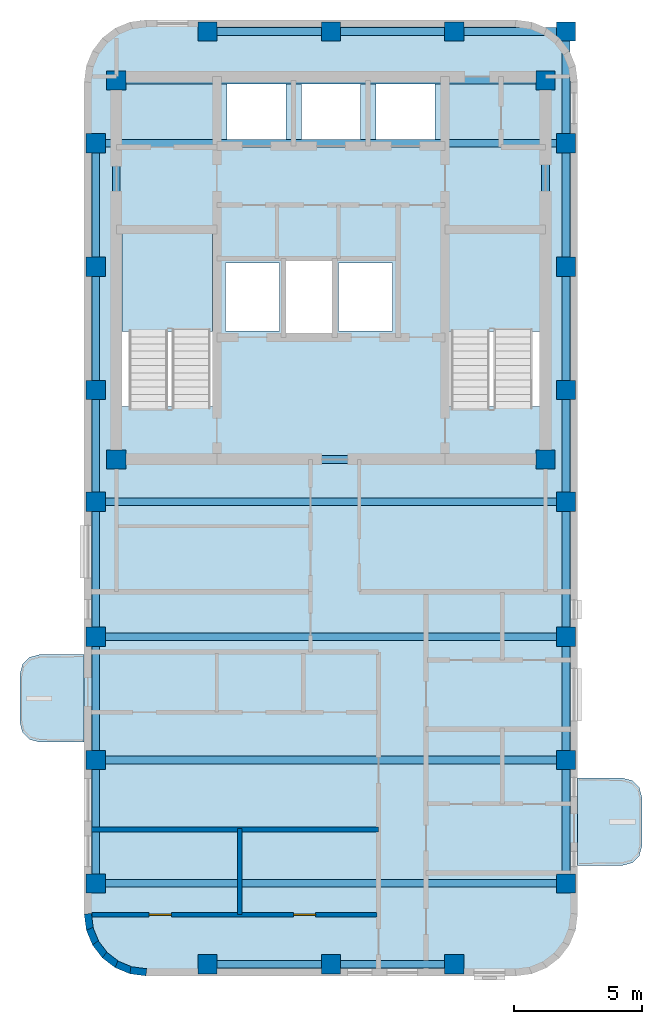
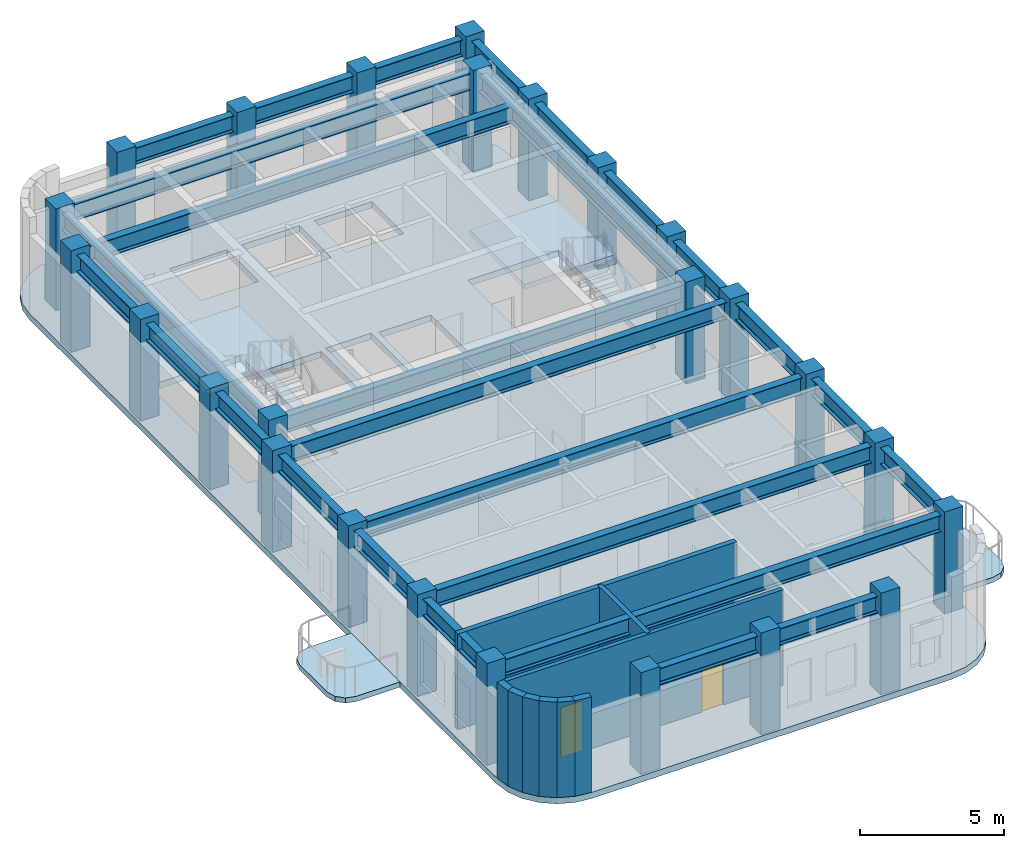
# One storey, part 1 of 6: 27 beams, 25 columns, 9 walls, 5 slabs, 2 doors, 2 openings, 2 elements without a shape of their own.
"""IFC4 building model written with IfcOpenShell, lengths in metres."""

import ifcopenshell
import ifcopenshell.guid

model = None  # the IFC model being written
_history = None  # IfcOwnerHistory: only IFC2X3 demands one
_inside = {}  # id of a spatial element -> (the spatial element, [elements in it])
_under = {}  # id of a project, library or spatial element -> (it, [spatial elements below it])
_declared = {}  # id of a project -> (the project, [libraries it declares])
_typed = {}  # id of a type object -> (the type object, [elements of that type])
_made_of = {}  # id of a material, layer set ... -> (it, [elements and type objects made of it])


def new_model(schema):
    """Start an empty IFC model of exactly this schema.

    Asked for "IFC4X3", IfcOpenShell would pick the latest addendum, in which some entities
    have other attributes; the version numbers below select the first issue.
    IFC2X3 requires an IfcOwnerHistory on every rooted entity: one is made here for all.
    """
    global model, _history
    if schema == "IFC4X3":
        model = ifcopenshell.file(schema_version=(4, 3, 0, 0))
    else:
        model = ifcopenshell.file(schema=schema)
    _inside.clear()
    _under.clear()
    _declared.clear()
    _typed.clear()
    _made_of.clear()
    _history = None
    if model.schema == "IFC2X3":
        org = make("IfcOrganization", Name="unknown")
        user = make(
            "IfcPersonAndOrganization",
            ThePerson=make("IfcPerson", FamilyName="unknown"),
            TheOrganization=org,
        )
        app = make(
            "IfcApplication",
            ApplicationDeveloper=org,
            Version="unknown",
            ApplicationFullName="unknown",
            ApplicationIdentifier="unknown",
        )
        _history = make(
            "IfcOwnerHistory",
            OwningUser=user,
            OwningApplication=app,
            ChangeAction="ADDED",
            CreationDate=0,
        )
    return model


def make(cls, **values):
    """One entity of the class cls with the attributes given. An attribute that is None is left unset."""
    return model.create_entity(
        cls, **{name: value for name, value in values.items() if value is not None}
    )


def rooted(cls, **values):
    """An entity with a GlobalId (a new one), such as an element, a storey or a relation."""
    return make(cls, GlobalId=ifcopenshell.guid.new(), OwnerHistory=_history, **values)


def si_unit(unit_type, name, prefix=None):
    """IfcSIUnit, for example si_unit("LENGTHUNIT", "METRE", prefix="MILLI")."""
    return make("IfcSIUnit", UnitType=unit_type, Prefix=prefix, Name=name)


def assignment(units):
    """IfcUnitAssignment: the units of a project."""
    return None if units is None else make("IfcUnitAssignment", Units=units)


def point(xyz):
    """IfcCartesianPoint."""
    return None if xyz is None else make("IfcCartesianPoint", Coordinates=xyz)


def direction(xyz):
    """IfcDirection."""
    return None if xyz is None else make("IfcDirection", DirectionRatios=xyz)


def frame(location, z_axis=None, x_axis=None):
    """IfcAxis2Placement3D, a coordinate frame: its origin and axes. An axis left out is left unset."""
    return make(
        "IfcAxis2Placement3D",
        Location=point(location),
        Axis=direction(z_axis),
        RefDirection=direction(x_axis),
    )


def frame_2d(location, x_axis=None):
    """IfcAxis2Placement2D, a coordinate frame in the plane: its origin and x axis."""
    return make(
        "IfcAxis2Placement2D", Location=point(location), RefDirection=direction(x_axis)
    )


def origin():
    """The frame at (0, 0, 0) with its axes left unset."""
    return frame((0.0, 0.0, 0.0))


def origin_2d():
    """The frame at (0, 0) in the plane with its x axis left unset."""
    return frame_2d((0.0, 0.0))


def place(relative_to, where):
    """IfcLocalPlacement: puts the frame where relative to a parent placement (None: the world)."""
    return make(
        "IfcLocalPlacement", PlacementRelTo=relative_to, RelativePlacement=where
    )


def context(
    kind, dimensions, precision=None, world=None, true_north=None, identifier=None
):
    """IfcGeometricRepresentationContext, for example the 3D "Model" context."""
    return make(
        "IfcGeometricRepresentationContext",
        ContextIdentifier=identifier,
        ContextType=kind,
        CoordinateSpaceDimension=dimensions,
        Precision=precision,
        WorldCoordinateSystem=world,
        TrueNorth=true_north,
    )


def subcontext(parent, identifier, kind, view, scale=None):
    """IfcGeometricRepresentationSubContext, for example "Body" below "Model"."""
    return make(
        "IfcGeometricRepresentationSubContext",
        ContextIdentifier=identifier,
        ContextType=kind,
        ParentContext=parent,
        TargetScale=scale,
        TargetView=view,
    )


def project(units=None, contexts=None):
    """IfcProject with its units and contexts."""
    return rooted(
        "IfcProject",
        Name="project",
        RepresentationContexts=contexts,
        UnitsInContext=assignment(units),
    )


def spatial(cls, under=None, at=None, **own):
    """A site, building, storey or space (cls), placed at a placement, below another one or the project."""
    s = rooted(cls, ObjectPlacement=at, **own)
    if under is not None:
        _under.setdefault(under.id(), (under, []))[1].append(s)
    return s


def polyline(points):
    """IfcPolyline through the points."""
    return make("IfcPolyline", Points=[point(p) for p in points])


def profile(cls, at=None, kind="AREA", **sizes):
    """A parametric profile (cls). Its sizes go by their IFC names, for example OverallWidth=200.0."""
    return make(cls, ProfileType=kind, Position=at, **sizes)


def rectangle(**sizes):
    """IfcRectangleProfileDef."""
    return profile("IfcRectangleProfileDef", **sizes)


def i_section(**sizes):
    """IfcIShapeProfileDef."""
    return profile("IfcIShapeProfileDef", **sizes)


def outline(outer, holes=None, kind="AREA"):
    """IfcArbitraryClosedProfileDef: a profile drawn as a closed curve; with holes, ...WithVoids."""
    if holes is None:
        return make("IfcArbitraryClosedProfileDef", ProfileType=kind, OuterCurve=outer)
    return make(
        "IfcArbitraryProfileDefWithVoids",
        ProfileType=kind,
        OuterCurve=outer,
        InnerCurves=holes,
    )


def extrude(swept, where, along, depth):
    """IfcExtrudedAreaSolid: the profile swept, set in the frame where, extruded along a direction by depth."""
    return make(
        "IfcExtrudedAreaSolid",
        SweptArea=swept,
        Position=where,
        ExtrudedDirection=direction(along),
        Depth=depth,
    )


def shape(context_of_items, identifier, shape_type, items):
    """IfcShapeRepresentation: the items that make up one representation, for example the "Body"."""
    return make(
        "IfcShapeRepresentation",
        ContextOfItems=context_of_items,
        RepresentationIdentifier=identifier,
        RepresentationType=shape_type,
        Items=items,
    )


def material(Name=None, Category=None):
    """IfcMaterial."""
    return make("IfcMaterial", Name=Name, Category=Category)


def layer(
    of_material, thickness, ventilated=None, Name=None, Category=None, Priority=None
):
    """IfcMaterialLayer: one layer of a wall or slab, of a material (None: an air gap)."""
    return make(
        "IfcMaterialLayer",
        Material=of_material,
        LayerThickness=thickness,
        IsVentilated=ventilated,
        Name=Name,
        Category=Category,
        Priority=Priority,
    )


def layer_set(layers, Name=None):
    """IfcMaterialLayerSet."""
    return make("IfcMaterialLayerSet", MaterialLayers=layers, LayerSetName=Name)


def material_profile(
    of_material, cross_section, Name=None, Category=None, Priority=None
):
    """IfcMaterialProfile: a cross section and its material."""
    return make(
        "IfcMaterialProfile",
        Name=Name,
        Material=of_material,
        Profile=cross_section,
        Priority=Priority,
        Category=Category,
    )


def profile_set(profiles, Name=None, composite=None):
    """IfcMaterialProfileSet."""
    return make(
        "IfcMaterialProfileSet",
        Name=Name,
        MaterialProfiles=profiles,
        CompositeProfile=composite,
    )


def made_of(thing, what):
    """Note that an element or type object is made of a material, layer set ...; save() writes the relation."""
    if what is not None:
        _made_of.setdefault(what.id(), (what, []))[1].append(thing)
    return thing


def type_object(cls, material=None, **own):
    """A type object (cls), such as IfcWallType, which elements share."""
    return made_of(rooted(cls, **own), material)


def element(
    cls,
    number,
    at=None,
    inside=None,
    cuts=None,
    type_object=None,
    material=None,
    context=None,
    identifier="Body",
    shape_type=None,
    held_by="IfcProductDefinitionShape",
    body=None,
    shapes=None,
    **own,
):
    """One element of the class cls, such as IfcWall. Its Tag is "e" and its number.

    at: its placement. inside: the storey or other place that contains it. cuts: it is an
    opening in that element (IfcRelVoidsElement). A single representation is given by context,
    identifier, shape_type and body (its items); several are given by shapes. held_by: the class
    of the entity that holds the representations. save() writes the other relations.
    """
    e = rooted(cls, Tag="e%d" % number, ObjectPlacement=at, **own)
    if body is not None:
        shapes = [shape(context, identifier, shape_type, body)]
    if shapes is not None:
        e.Representation = make(held_by, Representations=shapes)
    if inside is not None:
        _inside.setdefault(inside.id(), (inside, []))[1].append(e)
    if cuts is not None:
        rooted(
            "IfcRelVoidsElement", RelatingBuildingElement=cuts, RelatedOpeningElement=e
        )
    if type_object is not None:
        _typed.setdefault(type_object.id(), (type_object, []))[1].append(e)
    return made_of(e, material)


def fill(opening, filler):
    """IfcRelFillsElement: the door or window that sits in an opening."""
    return rooted(
        "IfcRelFillsElement",
        RelatingOpeningElement=opening,
        RelatedBuildingElement=filler,
    )


def aggregate(whole, parts):
    """IfcRelAggregates: a whole, such as a stair, and the parts it consists of."""
    return rooted("IfcRelAggregates", RelatingObject=whole, RelatedObjects=parts)


def save(model, path):
    """Write the relations noted so far, then the file.

    IfcRelAggregates (storeys below a building ...), IfcRelContainedInSpatialStructure (elements
    in a storey), IfcRelDefinesByType, IfcRelAssociatesMaterial and IfcRelDeclares: one each for
    every whole, place, type object, material and project.
    """
    for whole, parts in _under.values():
        aggregate(whole, parts)
    for where, things in _inside.values():
        rooted(
            "IfcRelContainedInSpatialStructure",
            RelatedElements=things,
            RelatingStructure=where,
        )
    for kind, things in _typed.values():
        rooted("IfcRelDefinesByType", RelatedObjects=things, RelatingType=kind)
    for what, things in _made_of.values():
        rooted("IfcRelAssociatesMaterial", RelatedObjects=things, RelatingMaterial=what)
    for by, libraries in _declared.values():
        rooted("IfcRelDeclares", RelatingContext=by, RelatedDefinitions=libraries)
    model.write(path)


model = new_model("IFC4")

# Units and contexts
model_context = context("Model", 3, precision=1e-05, world=origin(), true_north=direction((0.0, 1.0)))
body_context = subcontext(model_context, "Body", "Model", "MODEL_VIEW")
ifc_project = project(units=[si_unit("LENGTHUNIT", "METRE"), si_unit("AREAUNIT", "SQUARE_METRE"), si_unit("VOLUMEUNIT", "CUBIC_METRE"), si_unit("PLANEANGLEUNIT", "RADIAN"), si_unit("MASSUNIT", "GRAM", prefix="KILO")], contexts=[model_context])

# Site, building, storey
site_placement = place(None, origin())
site = spatial("IfcSite", under=ifc_project, at=site_placement, CompositionType="ELEMENT")
building_placement = place(site_placement, origin())
building = spatial("IfcBuilding", under=site, at=building_placement, Name="Orvandelia Arch Residences", CompositionType="ELEMENT")
storey_placement = place(building_placement, frame((0.0, 0.0, 274.199951171875)))
storey = spatial("IfcBuildingStorey", under=building, at=storey_placement, Name="L71", CompositionType="ELEMENT", Elevation=274.199951171875)

# Columns
ifc_material_1 = material(Name="Concrete C50/60", Category="concrete")
ifc_material_profile_1 = material_profile(ifc_material_1, rectangle(XDim=0.75, YDim=0.75, at=origin_2d()), Name="Concrete C50/60", Category="concrete")
ifc_profile_set_1 = profile_set([ifc_material_profile_1], Name="Concrete C50/60")
column_type = type_object("IfcColumnType", Name="COL-TWR-750", PredefinedType="COLUMN", material=ifc_profile_set_1)
for number, where, z_axis, x_axis, name in (
    (1, (5.25, 14.39990234375, 0.0), (0.0, 0.0, 1.0), (1.0, 0.0, 0.0), "Structural Column L71-W-W-144"),
    (2, (5.25, 19.199951171875, 0.0), (0.0, 0.0, 1.0), (1.0, 0.0, 0.0), "Structural Column L71-W-W-192"),
    (3, (5.25, 24.0, 0.0), (0.0, 0.0, 1.0), (1.0, 0.0, 0.0), "Structural Column L71-W-W-240"),
    (4, (5.25, 29.25, 0.0), (0.0, 0.0, 1.0), (1.0, 0.0, 0.0), "Structural Column L71-W-W-292"),
    (5, (5.25, 33.60009765625, 0.0), (0.0, 0.0, 1.0), (1.0, 0.0, 0.0), "Structural Column L71-W-W-336"),
    (6, (5.25, 38.39990234375, 0.0), (0.0, 0.0, 1.0), (1.0, 0.0, 0.0), "Structural Column L71-W-W-384"),
    (7, (5.25, 43.199951171875, 0.0), (0.0, 0.0, 1.0), (1.0, 0.0, 0.0), "Structural Column L71-W-W-432"),
    (8, (6.050048828125, 30.89990234375, 0.0), (0.0, 0.0, 1.0), (1.0, 0.0, 0.0), "Structural Column L71-CR-SW"),
    (9, (6.050048828125, 45.64990234375, 0.0), (0.0, 0.0, 1.0), (1.0, 0.0, 0.0), "Structural Column L71-CR-NW"),
    (10, (9.60009765625, 11.25, 0.0), (0.0, 0.0, 1.0), (1.0, 0.0, 0.0), "Structural Column L71-W-S-96"),
    (11, (9.60009765625, 47.550048828125, 0.0), (0.0, 0.0, 1.0), (1.0, 0.0, 0.0), "Structural Column L71-W-N-96"),
    (12, (14.39990234375, 11.25, 0.0), (0.0, 0.0, 1.0), (1.0, 0.0, 0.0), "Structural Column L71-W-S-144"),
    (13, (14.39990234375, 47.550048828125, 0.0), (0.0, 0.0, 1.0), (1.0, 0.0, 0.0), "Structural Column L71-W-N-144"),
    (14, (19.199951171875, 11.25, 0.0), (0.0, 0.0, 1.0), (1.0, 0.0, 0.0), "Structural Column L71-W-S-192"),
    (15, (19.199951171875, 47.550048828125, 0.0), (0.0, 0.0, 1.0), (1.0, 0.0, 0.0), "Structural Column L71-W-N-192"),
    (16, (22.75, 30.89990234375, 0.0), (0.0, 0.0, 1.0), (1.0, 0.0, 0.0), "Structural Column L71-CR-SE"),
    (17, (22.75, 45.64990234375, 0.0), (0.0, 0.0, 1.0), (1.0, 0.0, 0.0), "Structural Column L71-CR-NE"),
    (18, (23.550048828125, 14.39990234375, 0.0), (0.0, 0.0, 1.0), (1.0, 0.0, 0.0), "Structural Column L71-W-E-144"),
    (19, (23.550048828125, 19.199951171875, 0.0), (0.0, 0.0, 1.0), (1.0, 0.0, 0.0), "Structural Column L71-W-E-192"),
    (20, (23.550048828125, 24.0, 0.0), (0.0, 0.0, 1.0), (1.0, 0.0, 0.0), "Structural Column L71-W-E-240"),
    (21, (23.550048828125, 29.25, 0.0), (0.0, 0.0, 1.0), (1.0, 0.0, 0.0), "Structural Column L71-W-E-292"),
    (22, (23.550048828125, 33.60009765625, 0.0), (0.0, 0.0, 1.0), (1.0, 0.0, 0.0), "Structural Column L71-W-E-336"),
    (23, (23.550048828125, 38.39990234375, 0.0), (0.0, 0.0, 1.0), (1.0, 0.0, 0.0), "Structural Column L71-W-E-384"),
    (24, (23.550048828125, 43.199951171875, 0.0), (0.0, 0.0, 1.0), (1.0, 0.0, 0.0), "Structural Column L71-W-E-432"),
    (25, (23.550048828125, 47.550048828125, 0.0), (0.0, 0.0, 1.0), (1.0, 0.0, 0.0), "Structural Column L71-W-N-235"),
):
    element("IfcColumn", number, at=place(storey_placement, frame(where, z_axis=z_axis, x_axis=x_axis)), inside=storey, type_object=column_type, Name=name, PredefinedType="COLUMN", context=body_context, shape_type="SweptSolid", body=[
        extrude(rectangle(XDim=0.75, YDim=0.75, at=origin_2d()), origin(), (0.0, 0.0, 1.0), 4.300048828125),
    ])

# Beams
ifc_material_2 = material(Name="Structural Steel SM355 (355 MPa)", Category="steel")
ifc_material_profile_2 = material_profile(ifc_material_2, i_section(OverallWidth=0.300048828125, OverallDepth=0.699951171875, WebThickness=0.012939453125, FlangeThickness=0.02392578125, FilletRadius=0.02392578125, at=origin_2d()), Name="Structural Steel SM355 (355 MPa)", Category="steel")
ifc_profile_set_2 = profile_set([ifc_material_profile_2], Name="Structural Steel SM355 (355 MPa)")
beam_type = type_object("IfcBeamType", Name="BM-GRD-H700", PredefinedType="BEAM", material=ifc_profile_set_2)
for number, where, z_axis, x_axis, name in (
    (26, (5.25, 14.39990234375, 3.68994140625), (0.0, 1.0, 0.0), (-1.0, 0.0, 0.0), "Structural Frame Beam L71-NS-001"),
    (27, (5.25, 19.199951171875, 3.68994140625), (0.0, 1.0, 0.0), (-1.0, 0.0, 0.0), "Structural Frame Beam L71-NS-002"),
):
    element("IfcBeam", number, at=place(storey_placement, frame(where, z_axis=z_axis, x_axis=x_axis)), inside=storey, type_object=beam_type, Name=name, PredefinedType="BEAM", context=body_context, shape_type="SweptSolid", body=[
        extrude(i_section(OverallWidth=0.300048828125, OverallDepth=0.699951171875, WebThickness=0.012939453125, FlangeThickness=0.02392578125, FilletRadius=0.02392578125, at=origin_2d()), origin(), (0.0, 0.0, 1.0), 4.800048828125),
    ])
beam_1_placement = place(storey_placement, frame((5.25, 24.0, 3.68994140625), z_axis=(0.0, 1.0, 0.0), x_axis=(-1.0, 0.0, 0.0)))
element("IfcBeam", 28, at=beam_1_placement, inside=storey, type_object=beam_type, Name="Structural Frame Beam L71-NS-003", PredefinedType="BEAM", context=body_context, shape_type="SweptSolid", body=[
    extrude(i_section(OverallWidth=0.300048828125, OverallDepth=0.699951171875, WebThickness=0.012939453125, FlangeThickness=0.02392578125, FilletRadius=0.02392578125, at=origin_2d()), origin(), (0.0, 0.0, 1.0), 5.25),
])
beam_2_placement = place(storey_placement, frame((5.25, 29.25, 3.68994140625), z_axis=(0.0, 1.0, 0.0), x_axis=(-1.0, 0.0, 0.0)))
element("IfcBeam", 29, at=beam_2_placement, inside=storey, type_object=beam_type, Name="Structural Frame Beam L71-NS-004", PredefinedType="BEAM", context=body_context, shape_type="SweptSolid", body=[
    extrude(i_section(OverallWidth=0.300048828125, OverallDepth=0.699951171875, WebThickness=0.012939453125, FlangeThickness=0.02392578125, FilletRadius=0.02392578125, at=origin_2d()), origin(), (0.0, 0.0, 1.0), 4.35009765625),
])
beam_3_placement = place(storey_placement, frame((5.25, 33.60009765625, 3.68994140625), z_axis=(0.0, 1.0, 0.0), x_axis=(-1.0, 0.0, 0.0)))
element("IfcBeam", 30, at=beam_3_placement, inside=storey, type_object=beam_type, Name="Structural Frame Beam L71-NS-005", PredefinedType="BEAM", context=body_context, shape_type="SweptSolid", body=[
    extrude(i_section(OverallWidth=0.300048828125, OverallDepth=0.699951171875, WebThickness=0.012939453125, FlangeThickness=0.02392578125, FilletRadius=0.02392578125, at=origin_2d()), origin(), (0.0, 0.0, 1.0), 4.7998046875),
])
beam_4_placement = place(storey_placement, frame((5.25, 38.39990234375, 3.68994140625), z_axis=(0.0, 1.0, 0.0), x_axis=(-1.0, 0.0, 0.0)))
element("IfcBeam", 31, at=beam_4_placement, inside=storey, type_object=beam_type, Name="Structural Frame Beam L71-NS-006", PredefinedType="BEAM", context=body_context, shape_type="SweptSolid", body=[
    extrude(i_section(OverallWidth=0.300048828125, OverallDepth=0.699951171875, WebThickness=0.012939453125, FlangeThickness=0.02392578125, FilletRadius=0.02392578125, at=origin_2d()), origin(), (0.0, 0.0, 1.0), 4.800048828125),
])
for number, where, z_axis, x_axis, name in (
    (32, (6.050048828125, 30.89990234375, 3.68994140625), (0.0, 1.0, 0.0), (-1.0, 0.0, 0.0), "Structural Frame Beam L71-NS-007"),
    (33, (22.75, 30.89990234375, 3.68994140625), (0.0, 1.0, 0.0), (-1.0, 0.0, 0.0), "Structural Frame Beam L71-NS-008"),
):
    element("IfcBeam", number, at=place(storey_placement, frame(where, z_axis=z_axis, x_axis=x_axis)), inside=storey, type_object=beam_type, Name=name, PredefinedType="BEAM", context=body_context, shape_type="SweptSolid", body=[
        extrude(i_section(OverallWidth=0.300048828125, OverallDepth=0.699951171875, WebThickness=0.012939453125, FlangeThickness=0.02392578125, FilletRadius=0.02392578125, at=origin_2d()), origin(), (0.0, 0.0, 1.0), 14.75),
    ])
for number, where, z_axis, x_axis, name in (
    (34, (23.550048828125, 14.39990234375, 3.68994140625), (0.0, 1.0, 0.0), (-1.0, 0.0, 0.0), "Structural Frame Beam L71-NS-009"),
    (35, (23.550048828125, 19.199951171875, 3.68994140625), (0.0, 1.0, 0.0), (-1.0, 0.0, 0.0), "Structural Frame Beam L71-NS-010"),
):
    element("IfcBeam", number, at=place(storey_placement, frame(where, z_axis=z_axis, x_axis=x_axis)), inside=storey, type_object=beam_type, Name=name, PredefinedType="BEAM", context=body_context, shape_type="SweptSolid", body=[
        extrude(i_section(OverallWidth=0.300048828125, OverallDepth=0.699951171875, WebThickness=0.012939453125, FlangeThickness=0.02392578125, FilletRadius=0.02392578125, at=origin_2d()), origin(), (0.0, 0.0, 1.0), 4.800048828125),
    ])
beam_5_placement = place(storey_placement, frame((23.550048828125, 24.0, 3.68994140625), z_axis=(0.0, 1.0, 0.0), x_axis=(-1.0, 0.0, 0.0)))
element("IfcBeam", 36, at=beam_5_placement, inside=storey, type_object=beam_type, Name="Structural Frame Beam L71-NS-011", PredefinedType="BEAM", context=body_context, shape_type="SweptSolid", body=[
    extrude(i_section(OverallWidth=0.300048828125, OverallDepth=0.699951171875, WebThickness=0.012939453125, FlangeThickness=0.02392578125, FilletRadius=0.02392578125, at=origin_2d()), origin(), (0.0, 0.0, 1.0), 5.25),
])
beam_6_placement = place(storey_placement, frame((23.550048828125, 29.25, 3.68994140625), z_axis=(0.0, 1.0, 0.0), x_axis=(-1.0, 0.0, 0.0)))
element("IfcBeam", 37, at=beam_6_placement, inside=storey, type_object=beam_type, Name="Structural Frame Beam L71-NS-012", PredefinedType="BEAM", context=body_context, shape_type="SweptSolid", body=[
    extrude(i_section(OverallWidth=0.300048828125, OverallDepth=0.699951171875, WebThickness=0.012939453125, FlangeThickness=0.02392578125, FilletRadius=0.02392578125, at=origin_2d()), origin(), (0.0, 0.0, 1.0), 4.35009765625),
])
beam_7_placement = place(storey_placement, frame((23.550048828125, 33.60009765625, 3.68994140625), z_axis=(0.0, 1.0, 0.0), x_axis=(-1.0, 0.0, 0.0)))
element("IfcBeam", 38, at=beam_7_placement, inside=storey, type_object=beam_type, Name="Structural Frame Beam L71-NS-013", PredefinedType="BEAM", context=body_context, shape_type="SweptSolid", body=[
    extrude(i_section(OverallWidth=0.300048828125, OverallDepth=0.699951171875, WebThickness=0.012939453125, FlangeThickness=0.02392578125, FilletRadius=0.02392578125, at=origin_2d()), origin(), (0.0, 0.0, 1.0), 4.7998046875),
])
beam_8_placement = place(storey_placement, frame((23.550048828125, 38.39990234375, 3.68994140625), z_axis=(0.0, 1.0, 0.0), x_axis=(-1.0, 0.0, 0.0)))
element("IfcBeam", 39, at=beam_8_placement, inside=storey, type_object=beam_type, Name="Structural Frame Beam L71-NS-014", PredefinedType="BEAM", context=body_context, shape_type="SweptSolid", body=[
    extrude(i_section(OverallWidth=0.300048828125, OverallDepth=0.699951171875, WebThickness=0.012939453125, FlangeThickness=0.02392578125, FilletRadius=0.02392578125, at=origin_2d()), origin(), (0.0, 0.0, 1.0), 4.800048828125),
])
beam_9_placement = place(storey_placement, frame((23.550048828125, 43.199951171875, 3.68994140625), z_axis=(0.0, 1.0, 0.0), x_axis=(-1.0, 0.0, 0.0)))
element("IfcBeam", 40, at=beam_9_placement, inside=storey, type_object=beam_type, Name="Structural Frame Beam L71-NS-015", PredefinedType="BEAM", context=body_context, shape_type="SweptSolid", body=[
    extrude(i_section(OverallWidth=0.300048828125, OverallDepth=0.699951171875, WebThickness=0.012939453125, FlangeThickness=0.02392578125, FilletRadius=0.02392578125, at=origin_2d()), origin(), (0.0, 0.0, 1.0), 4.35009765625),
])
beam_10_placement = place(storey_placement, frame((9.60009765625, 11.25, 3.68994140625), z_axis=(1.0, 0.0, 0.0), x_axis=(0.0, 1.0, 0.0)))
element("IfcBeam", 41, at=beam_10_placement, inside=storey, type_object=beam_type, Name="Structural Frame Girder L71-EW-016", PredefinedType="BEAM", context=body_context, shape_type="SweptSolid", body=[
    extrude(i_section(OverallWidth=0.300048828125, OverallDepth=0.699951171875, WebThickness=0.012939453125, FlangeThickness=0.02392578125, FilletRadius=0.02392578125, at=origin_2d()), origin(), (0.0, 0.0, 1.0), 4.7998046875),
])
beam_11_placement = place(storey_placement, frame((14.39990234375, 11.25, 3.68994140625), z_axis=(1.0, 0.0, 0.0), x_axis=(0.0, 1.0, 0.0)))
element("IfcBeam", 42, at=beam_11_placement, inside=storey, type_object=beam_type, Name="Structural Frame Girder L71-EW-017", PredefinedType="BEAM", context=body_context, shape_type="SweptSolid", body=[
    extrude(i_section(OverallWidth=0.300048828125, OverallDepth=0.699951171875, WebThickness=0.012939453125, FlangeThickness=0.02392578125, FilletRadius=0.02392578125, at=origin_2d()), origin(), (0.0, 0.0, 1.0), 4.800048828125),
])
for number, where, z_axis, x_axis, name in (
    (43, (5.25, 14.39990234375, 3.68994140625), (1.0, 0.0, 0.0), (0.0, 1.0, 0.0), "Structural Frame Girder L71-EW-018"),
    (44, (5.25, 19.199951171875, 3.68994140625), (1.0, 0.0, 0.0), (0.0, 1.0, 0.0), "Structural Frame Girder L71-EW-019"),
    (45, (5.25, 24.0, 3.68994140625), (1.0, 0.0, 0.0), (0.0, 1.0, 0.0), "Structural Frame Girder L71-EW-020"),
    (46, (5.25, 29.25, 3.68994140625), (1.0, 0.0, 0.0), (0.0, 1.0, 0.0), "Structural Frame Girder L71-EW-021"),
):
    element("IfcBeam", number, at=place(storey_placement, frame(where, z_axis=z_axis, x_axis=x_axis)), inside=storey, type_object=beam_type, Name=name, PredefinedType="BEAM", context=body_context, shape_type="SweptSolid", body=[
        extrude(i_section(OverallWidth=0.300048828125, OverallDepth=0.699951171875, WebThickness=0.012939453125, FlangeThickness=0.02392578125, FilletRadius=0.02392578125, at=origin_2d()), origin(), (0.0, 0.0, 1.0), 18.300048828125),
    ])
beam_12_placement = place(storey_placement, frame((6.050048828125, 30.89990234375, 3.68994140625), z_axis=(1.0, 0.0, 0.0), x_axis=(0.0, 1.0, 0.0)))
element("IfcBeam", 47, at=beam_12_placement, inside=storey, type_object=beam_type, Name="Structural Frame Girder L71-EW-022", PredefinedType="BEAM", context=body_context, shape_type="SweptSolid", body=[
    extrude(i_section(OverallWidth=0.300048828125, OverallDepth=0.699951171875, WebThickness=0.012939453125, FlangeThickness=0.02392578125, FilletRadius=0.02392578125, at=origin_2d()), origin(), (0.0, 0.0, 1.0), 16.699951171875),
])
beam_13_placement = place(storey_placement, frame((5.25, 43.199951171875, 3.68994140625), z_axis=(1.0, 0.0, 0.0), x_axis=(0.0, 1.0, 0.0)))
element("IfcBeam", 48, at=beam_13_placement, inside=storey, type_object=beam_type, Name="Structural Frame Girder L71-EW-025", PredefinedType="BEAM", context=body_context, shape_type="SweptSolid", body=[
    extrude(i_section(OverallWidth=0.300048828125, OverallDepth=0.699951171875, WebThickness=0.012939453125, FlangeThickness=0.02392578125, FilletRadius=0.02392578125, at=origin_2d()), origin(), (0.0, 0.0, 1.0), 18.300048828125),
])
beam_14_placement = place(storey_placement, frame((6.050048828125, 45.64990234375, 3.68994140625), z_axis=(1.0, 0.0, 0.0), x_axis=(0.0, 1.0, 0.0)))
element("IfcBeam", 49, at=beam_14_placement, inside=storey, type_object=beam_type, Name="Structural Frame Girder L71-EW-026", PredefinedType="BEAM", context=body_context, shape_type="SweptSolid", body=[
    extrude(i_section(OverallWidth=0.300048828125, OverallDepth=0.699951171875, WebThickness=0.012939453125, FlangeThickness=0.02392578125, FilletRadius=0.02392578125, at=origin_2d()), origin(), (0.0, 0.0, 1.0), 16.699951171875),
])
beam_15_placement = place(storey_placement, frame((9.60009765625, 47.550048828125, 3.68994140625), z_axis=(1.0, 0.0, 0.0), x_axis=(0.0, 1.0, 0.0)))
element("IfcBeam", 50, at=beam_15_placement, inside=storey, type_object=beam_type, Name="Structural Frame Girder L71-EW-027", PredefinedType="BEAM", context=body_context, shape_type="SweptSolid", body=[
    extrude(i_section(OverallWidth=0.300048828125, OverallDepth=0.699951171875, WebThickness=0.012939453125, FlangeThickness=0.02392578125, FilletRadius=0.02392578125, at=origin_2d()), origin(), (0.0, 0.0, 1.0), 4.7998046875),
])
beam_16_placement = place(storey_placement, frame((14.39990234375, 47.550048828125, 3.68994140625), z_axis=(1.0, 0.0, 0.0), x_axis=(0.0, 1.0, 0.0)))
element("IfcBeam", 51, at=beam_16_placement, inside=storey, type_object=beam_type, Name="Structural Frame Girder L71-EW-028", PredefinedType="BEAM", context=body_context, shape_type="SweptSolid", body=[
    extrude(i_section(OverallWidth=0.300048828125, OverallDepth=0.699951171875, WebThickness=0.012939453125, FlangeThickness=0.02392578125, FilletRadius=0.02392578125, at=origin_2d()), origin(), (0.0, 0.0, 1.0), 4.800048828125),
])
beam_17_placement = place(storey_placement, frame((19.199951171875, 47.550048828125, 3.68994140625), z_axis=(1.0, 0.0, 0.0), x_axis=(0.0, 1.0, 0.0)))
element("IfcBeam", 52, at=beam_17_placement, inside=storey, type_object=beam_type, Name="Structural Frame Girder L71-EW-029", PredefinedType="BEAM", context=body_context, shape_type="SweptSolid", body=[
    extrude(i_section(OverallWidth=0.300048828125, OverallDepth=0.699951171875, WebThickness=0.012939453125, FlangeThickness=0.02392578125, FilletRadius=0.02392578125, at=origin_2d()), origin(), (0.0, 0.0, 1.0), 4.35009765625),
])

# Slabs
ifc_material_3 = material(Name="Precast concrete C40/50", Category="concrete")
ifc_layer_1 = layer(ifc_material_3, 0.219970703125, Name="Precast concrete C40/50", Category="concrete")
ifc_layer_set_1 = layer_set([ifc_layer_1], Name="Precast concrete C40/50")
slab_type_1 = type_object("IfcSlabType", Name="SLB-BAL-220", PredefinedType="USERDEFINED", material=ifc_layer_set_1)
slab_1_placement = place(storey_placement, frame((0.0, 0.0, -0.219970703125)))
element("IfcSlab", 53, at=slab_1_placement, inside=storey, type_object=slab_type_1, Name="Tree Balcony Cantilever Slab BAL-L71-W1", ObjectType="BALCONY", PredefinedType="USERDEFINED", context=body_context, shape_type="SweptSolid", body=[
    extrude(outline(polyline([(4.800048828125, 19.89990234375), (4.800048828125, 23.300048828125), (3.050048828125, 23.300048828125), (2.675048828125, 23.199462890625), (2.400390625, 22.925048828125), (2.300048828125, 22.550048828125), (2.300048828125, 20.64990234375), (2.400390625, 20.27490234375), (2.675048828125, 20.00048828125), (3.050048828125, 19.89990234375), (4.800048828125, 19.89990234375)])), origin(), (0.0, 0.0, 1.0), 0.219970703125),
])
slab_2_placement = place(storey_placement, frame((0.0, 0.0, -0.219970703125)))
element("IfcSlab", 54, at=slab_2_placement, inside=storey, type_object=slab_type_1, Name="Tree Balcony Cantilever Slab BAL-L71-W2", ObjectType="BALCONY", PredefinedType="USERDEFINED", context=body_context, shape_type="SweptSolid", body=[
    extrude(outline(polyline([(24.0, 18.5), (24.0, 15.10009765625), (25.75, 15.10009765625), (26.125, 15.200439453125), (26.3994140625, 15.47509765625), (26.5, 15.85009765625), (26.5, 17.75), (26.3994140625, 18.125), (26.125, 18.3994140625), (25.75, 18.5), (24.0, 18.5)])), origin(), (0.0, 0.0, 1.0), 0.219970703125),
])

# Stair, slab
ifc_material_4 = material(Name="Concrete C40/50", Category="concrete")
stair_type = type_object("IfcStairType", Name="STAIR-RC-DOGLEG", PredefinedType="HALF_TURN_STAIR", material=ifc_material_4)
stair_1_placement = place(storey_placement, origin())
stair_1 = element("IfcStair", 55, at=stair_1_placement, inside=storey, type_object=stair_type, Name="L71 Protected Exit Stair ST-1", PredefinedType="HALF_TURN_STAIR")
ifc_layer_2 = layer(ifc_material_4, 0.219970703125, Name="Concrete C40/50", Category="concrete")
ifc_layer_set_2 = layer_set([ifc_layer_2], Name="Concrete C40/50")
slab_type_2 = type_object("IfcSlabType", Name="SLB-LANDING-220", PredefinedType="LANDING", material=ifc_layer_set_2)
slab_3_placement = place(storey_placement, frame((0.0, 0.0, 1.949951171875)))
slab_3 = element("IfcSlab", 56, at=slab_3_placement, type_object=slab_type_2, Name="ST-1 landing 1", PredefinedType="LANDING", context=body_context, shape_type="SweptSolid", body=[
    extrude(outline(polyline([(9.800048828125, 35.8701171875), (9.800048828125, 39.68994140625), (6.260009765625, 39.68994140625), (6.260009765625, 35.8701171875), (9.800048828125, 35.8701171875)])), origin(), (0.0, 0.0, 1.0), 0.2001953125),
])
aggregate(stair_1, [slab_3])

stair_2_placement = place(storey_placement, origin())
stair_2 = element("IfcStair", 57, at=stair_2_placement, inside=storey, type_object=stair_type, Name="L71 Protected Exit Stair ST-2", PredefinedType="HALF_TURN_STAIR")
slab_4_placement = place(storey_placement, frame((0.0, 0.0, 1.949951171875)))
slab_4 = element("IfcSlab", 58, at=slab_4_placement, type_object=slab_type_2, Name="ST-2 landing 1", PredefinedType="LANDING", context=body_context, shape_type="SweptSolid", body=[
    extrude(outline(polyline([(22.5400390625, 35.8701171875), (22.5400390625, 39.68994140625), (19.0, 39.68994140625), (19.0, 35.8701171875), (22.5400390625, 35.8701171875)])), origin(), (0.0, 0.0, 1.0), 0.2001953125),
])
aggregate(stair_2, [slab_4])

# Slab
ifc_layer_3 = layer(ifc_material_4, 0.260009765625, Name="Concrete C40/50", Category="concrete")
ifc_layer_set_3 = layer_set([ifc_layer_3], Name="Concrete C40/50")
slab_type_3 = type_object("IfcSlabType", Name="SLB-TWR-260", PredefinedType="FLOOR", material=ifc_layer_set_3)
slab_5_placement = place(storey_placement, frame((0.0, 0.0, -0.260009765625)))
element("IfcSlab", 59, at=slab_5_placement, inside=storey, type_object=slab_type_3, Name="Structural Floor Slab L71-1", PredefinedType="FLOOR", context=body_context, shape_type="SweptSolid", body=[
    extrude(outline(polyline([(4.800048828125, 13.199951171875), (4.8818359375, 12.578857421875), (5.12158203125, 12.0), (5.5029296875, 11.5029296875), (6.0, 11.12158203125), (6.578857421875, 10.8818359375), (7.199951171875, 10.800048828125), (21.60009765625, 10.800048828125), (22.22119140625, 10.8818359375), (22.800048828125, 11.12158203125), (23.297119140625, 11.5029296875), (23.678466796875, 12.0), (23.918212890625, 12.578857421875), (24.0, 13.199951171875), (24.0, 45.60009765625), (23.918212890625, 46.22119140625), (23.678466796875, 46.800048828125), (23.297119140625, 47.297119140625), (22.800048828125, 47.678466796875), (22.22119140625, 47.918212890625), (21.60009765625, 48.0), (7.199951171875, 48.0), (6.578857421875, 47.918212890625), (6.0, 47.678466796875), (5.5029296875, 47.297119140625), (5.12158203125, 46.800048828125), (4.8818359375, 46.22119140625), (4.800048828125, 45.60009765625), (4.800048828125, 13.199951171875)]), holes=[polyline([(6.219970703125, 32.949951171875), (9.840087890625, 32.949951171875), (9.840087890625, 39.72998046875), (6.219970703125, 39.72998046875), (6.219970703125, 32.949951171875)]), polyline([(18.9599609375, 32.949951171875), (22.580078125, 32.949951171875), (22.580078125, 39.72998046875), (18.9599609375, 39.72998046875), (18.9599609375, 32.949951171875)]), polyline([(12.639892578125, 35.81005859375), (14.4599609375, 35.81005859375), (14.4599609375, 38.639892578125), (12.639892578125, 38.639892578125), (12.639892578125, 35.81005859375)]), polyline([(10.300048828125, 35.89990234375), (12.39990234375, 35.89990234375), (12.39990234375, 38.550048828125), (10.300048828125, 38.550048828125), (10.300048828125, 35.89990234375)]), polyline([(14.699951171875, 35.89990234375), (16.800048828125, 35.89990234375), (16.800048828125, 38.550048828125), (14.699951171875, 38.550048828125), (14.699951171875, 35.89990234375)]), polyline([(10.35009765625, 43.300048828125), (12.64990234375, 43.300048828125), (12.64990234375, 45.5), (10.35009765625, 45.5), (10.35009765625, 43.300048828125)]), polyline([(13.25, 43.300048828125), (15.550048828125, 43.300048828125), (15.550048828125, 45.5), (13.25, 45.5), (13.25, 43.300048828125)]), polyline([(16.14990234375, 43.300048828125), (18.449951171875, 43.300048828125), (18.449951171875, 45.5), (16.14990234375, 45.5), (16.14990234375, 43.300048828125)])]), origin(), (0.0, 0.0, 1.0), 0.260009765625),
])

# Walls
ifc_layer_4 = layer(ifc_material_4, 0.199951171875, Name="Concrete C40/50", Category="concrete")
ifc_layer_set_4 = layer_set([ifc_layer_4], Name="Concrete C40/50")
wall_type_1 = type_object("IfcWallType", Name="WL-DEM-200", PredefinedType="SOLIDWALL", material=ifc_layer_set_4)
wall_1_placement = place(storey_placement, frame((5.080078125, 16.5, 0.0), z_axis=(0.0, 0.0, 1.0), x_axis=(1.0, 0.0, 0.0)))
element("IfcWall", 60, at=wall_1_placement, inside=storey, type_object=wall_type_1, Name="Interior Partition Wall WL-L71-DEM-WL-165", PredefinedType="SOLIDWALL", context=body_context, shape_type="SweptSolid", body=[
    extrude(rectangle(XDim=11.169921875, YDim=0.199951171875, at=frame_2d((5.5849609375, 0.0))), origin(), (0.0, 0.0, 1.0), 4.0400390625),
])
ifc_layer_5 = layer(ifc_material_3, 0.280029296875, Name="Precast concrete C40/50", Category="concrete")
ifc_layer_set_5 = layer_set([ifc_layer_5], Name="Precast concrete C40/50")
wall_type_2 = type_object("IfcWallType", Name="WL-EXT-STONE-280", PredefinedType="STANDARD", material=ifc_layer_set_5)
wall_2_placement = place(storey_placement, frame((7.21826171875, 10.938720703125, 0.0), z_axis=(0.0, 0.0, 1.0), x_axis=(-0.9914410257, 0.130555323746, 0.0)))
element("IfcWall", 61, at=wall_2_placement, inside=storey, type_object=wall_type_2, Name="Coral-Limestone Precast Facade Wall L71-022", PredefinedType="STANDARD", context=body_context, shape_type="SweptSolid", body=[
    extrude(rectangle(XDim=0.62646484375, YDim=0.280029296875, at=frame_2d((0.313232421875, 0.0))), origin(), (0.0, 0.0, 1.0), 4.0400390625),
])
wall_3_placement = place(storey_placement, frame((6.63232421875, 11.010986328125, 0.0), z_axis=(0.0, 0.0, 1.0), x_axis=(-0.923836271867, 0.382787856107, 0.0)))
element("IfcWall", 62, at=wall_3_placement, inside=storey, type_object=wall_type_2, Name="Coral-Limestone Precast Facade Wall L71-023", PredefinedType="STANDARD", context=body_context, shape_type="SweptSolid", body=[
    extrude(rectangle(XDim=0.626220703125, YDim=0.280029296875, at=frame_2d((0.31298828125, 0.0))), origin(), (0.0, 0.0, 1.0), 4.0400390625),
])
for number, where, z_axis, x_axis, name in (
    (63, (6.085205078125, 11.232666015625, 0.0), (0.0, 0.0, 1.0), (-0.793405610854, 0.608693302629, 0.0), "Coral-Limestone Precast Facade Wall L71-024"),
    (64, (5.614013671875, 11.588134765625, 0.0), (0.0, 0.0, 1.0), (-0.608693302629, 0.793405610854, 0.0), "Coral-Limestone Precast Facade Wall L71-025"),
):
    element("IfcWall", number, at=place(storey_placement, frame(where, z_axis=z_axis, x_axis=x_axis)), inside=storey, type_object=wall_type_2, Name=name, PredefinedType="STANDARD", context=body_context, shape_type="SweptSolid", body=[
        extrude(rectangle(XDim=0.62646484375, YDim=0.280029296875, at=frame_2d((0.313232421875, 0.0))), origin(), (0.0, 0.0, 1.0), 4.0400390625),
    ])
wall_4_placement = place(storey_placement, frame((5.250732421875, 12.0537109375, 0.0), z_axis=(0.0, 0.0, 1.0), x_axis=(-0.382787856107, 0.923836271867, 0.0)))
element("IfcWall", 65, at=wall_4_placement, inside=storey, type_object=wall_type_2, Name="Coral-Limestone Precast Facade Wall L71-026", PredefinedType="STANDARD", context=body_context, shape_type="SweptSolid", body=[
    extrude(rectangle(XDim=0.626220703125, YDim=0.280029296875, at=frame_2d((0.31298828125, 0.0))), origin(), (0.0, 0.0, 1.0), 4.0400390625),
])
wall_5_placement = place(storey_placement, frame((5.0205078125, 12.59716796875, 0.0), z_axis=(0.0, 0.0, 1.0), x_axis=(-0.130555323746, 0.9914410257, 0.0)))
element("IfcWall", 66, at=wall_5_placement, inside=storey, type_object=wall_type_2, Name="Coral-Limestone Precast Facade Wall L71-027", PredefinedType="STANDARD", context=body_context, shape_type="SweptSolid", body=[
    extrude(rectangle(XDim=0.62646484375, YDim=0.280029296875, at=frame_2d((0.313232421875, 0.0))), origin(), (0.0, 0.0, 1.0), 4.0400390625),
])

# Wall, openings, doors
ifc_material_5 = material(Name="Moisture-Resistant Plumbing Wall")
ifc_layer_6 = layer(ifc_material_5, 0.179931640625, Name="Moisture-Resistant Plumbing Wall")
ifc_layer_set_6 = layer_set([ifc_layer_6], Name="Moisture-Resistant Plumbing Wall")
wall_type_3 = type_object("IfcWallType", Name="WL-WET-180", PredefinedType="PLUMBINGWALL", material=ifc_layer_set_6)
wall_6_placement = place(storey_placement, frame((5.10009765625, 13.179931640625, 0.0), z_axis=(0.0, 0.0, 1.0), x_axis=(1.0, 0.0, 0.0)))
wall_6 = element("IfcWall", 67, at=wall_6_placement, inside=storey, type_object=wall_type_3, Name="Interior Partition Wall WL-L71-U01-HZ", PredefinedType="PLUMBINGWALL", context=body_context, shape_type="SweptSolid", body=[
    extrude(rectangle(XDim=11.08984375, YDim=0.179931640625, at=frame_2d((5.544921875, 0.0))), origin(), (0.0, 0.0, 1.0), 4.0400390625),
])
opening_1_placement = place(wall_6_placement, frame((2.22900390625, 0.0, 0.0)))
opening_1 = element("IfcOpeningElement", 68, at=opening_1_placement, cuts=wall_6, Name="Opening D4", PredefinedType="OPENING", context=body_context, shape_type="SweptSolid", body=[
    extrude(rectangle(XDim=0.860107421875, YDim=2.10009765625, at=frame_2d((0.43017578125, 1.050048828125))), frame((0.0, 0.10009765625, 0.0), z_axis=(0.0, -1.0, 0.0), x_axis=(1.0, 0.0, 0.0)), (0.0, 0.0, 1.0), 0.199951171875),
])
opening_2_placement = place(wall_6_placement, frame((7.843994140625, 0.0, 0.0)))
opening_2 = element("IfcOpeningElement", 69, at=opening_2_placement, cuts=wall_6, Name="Opening D4", PredefinedType="OPENING", context=body_context, shape_type="SweptSolid", body=[
    extrude(rectangle(XDim=0.860107421875, YDim=2.10009765625, at=frame_2d((0.43017578125, 1.050048828125))), frame((0.0, 0.10009765625, 0.0), z_axis=(0.0, -1.0, 0.0), x_axis=(1.0, 0.0, 0.0)), (0.0, 0.0, 1.0), 0.199951171875),
])
ifc_material_6 = material(Name="Moisture-Sealed Timber Bathroom Door", Category="wood")
door_type = type_object("IfcDoorType", Name="DR-WET-900", OperationType="NOTDEFINED", PredefinedType="DOOR", material=ifc_material_6)
door_1_placement = place(opening_1_placement, origin())
door_1 = element("IfcDoor", 70, at=door_1_placement, inside=storey, type_object=door_type, Name="DR-L71-U01-KIT", OperationType="SINGLE_SWING_LEFT", OverallHeight=2.10009765625, OverallWidth=0.860107421875, PredefinedType="DOOR", context=body_context, shape_type="SweptSolid", body=[
    extrude(rectangle(XDim=0.860107421875, YDim=2.10009765625, at=frame_2d((0.43017578125, 1.050048828125))), frame((0.0, 0.02490234375, 0.0), z_axis=(0.0, -1.0, 0.0), x_axis=(1.0, 0.0, 0.0)), (0.0, 0.0, 1.0), 0.050048828125),
])
fill(opening_1, door_1)
door_2_placement = place(opening_2_placement, origin())
door_2 = element("IfcDoor", 71, at=door_2_placement, inside=storey, type_object=door_type, Name="DR-L71-U01-BTH", OperationType="SINGLE_SWING_RIGHT", OverallHeight=2.10009765625, OverallWidth=0.860107421875, PredefinedType="DOOR", context=body_context, shape_type="SweptSolid", body=[
    extrude(rectangle(XDim=0.860107421875, YDim=2.10009765625, at=frame_2d((0.43017578125, 1.050048828125))), frame((0.0, 0.02490234375, 0.0), z_axis=(0.0, -1.0, 0.0), x_axis=(1.0, 0.0, 0.0)), (0.0, 0.0, 1.0), 0.050048828125),
])
fill(opening_2, door_2)

# Wall
wall_7_placement = place(storey_placement, frame((10.847900390625, 13.179931640625, 0.0), z_axis=(0.0, 0.0, 1.0), x_axis=(0.0, 1.0, 0.0)))
element("IfcWall", 72, at=wall_7_placement, inside=storey, type_object=wall_type_3, Name="Interior Partition Wall WL-L71-U01-V1", PredefinedType="PLUMBINGWALL", context=body_context, shape_type="SweptSolid", body=[
    extrude(rectangle(XDim=3.360107421875, YDim=0.179931640625, at=frame_2d((1.68017578125, 0.0))), origin(), (0.0, 0.0, 1.0), 4.0400390625),
])

save(model, "model.ifc")
